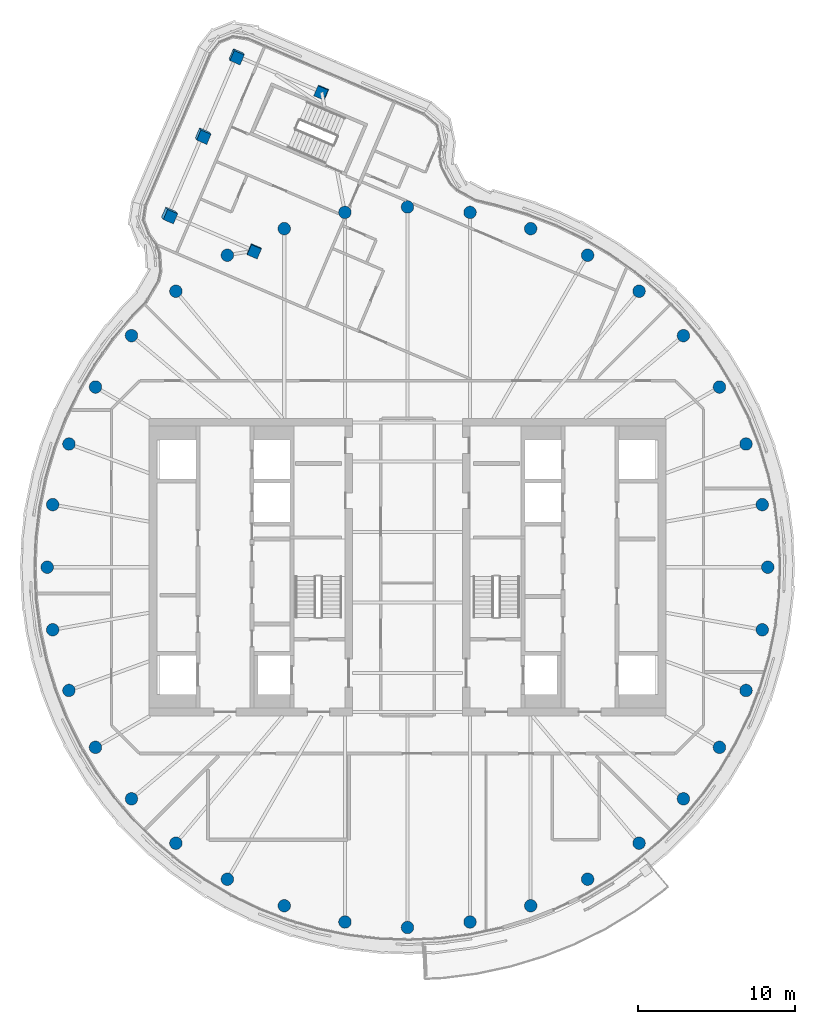
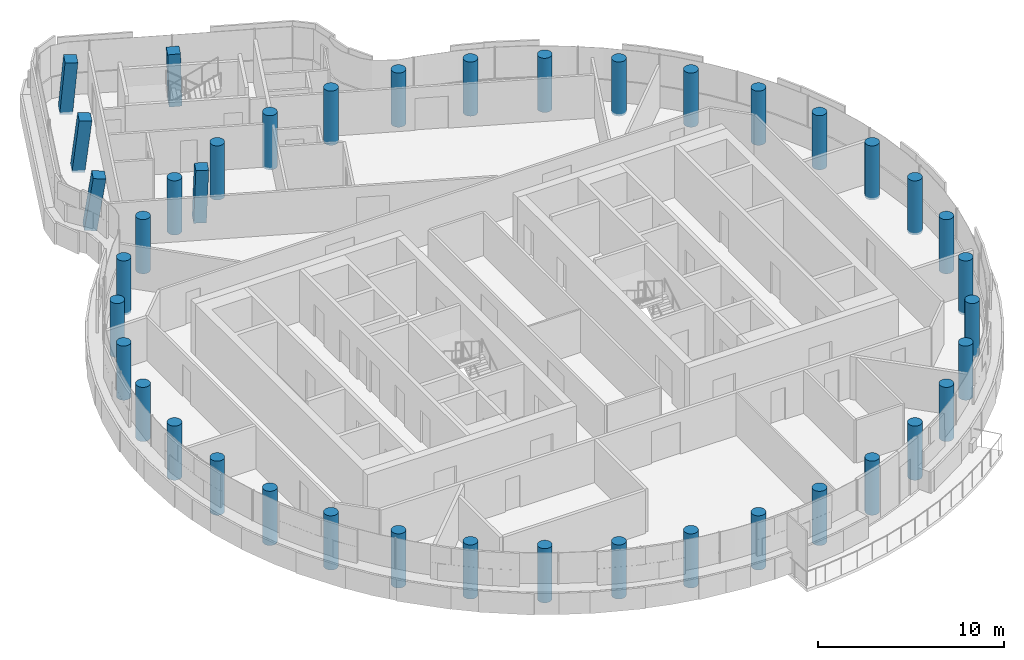
# One storey, part 1 of 20: 41 columns.
"""IFC4 building model written with IfcOpenShell, lengths in metres."""

from ifc_helpers import new_model, si_unit, direction, frame, origin, origin_2d, place, context, subcontext, project, spatial, rectangle, circle, extrude, material, material_profile, profile_set, type_object, element, save


model = new_model("IFC4")

# Units and contexts
model_context = context("Model", 3, precision=1e-05, world=origin(), true_north=direction((0.0, 1.0)))
body_context = subcontext(model_context, "Body", "Model", "MODEL_VIEW")
ifc_project = project(units=[si_unit("LENGTHUNIT", "METRE"), si_unit("AREAUNIT", "SQUARE_METRE"), si_unit("VOLUMEUNIT", "CUBIC_METRE"), si_unit("PLANEANGLEUNIT", "RADIAN"), si_unit("MASSUNIT", "GRAM", prefix="KILO")], contexts=[model_context])

# Site, building, storey
site_placement = place(None, origin())
site = spatial("IfcSite", under=ifc_project, at=site_placement, CompositionType="ELEMENT")
building_placement = place(site_placement, origin())
building = spatial("IfcBuilding", under=site, at=building_placement, Name="Tamarind Cross Interchange Tower", CompositionType="ELEMENT")
storey_placement = place(building_placement, frame((0.0, 0.0, 274.800048828125)))
storey = spatial("IfcBuildingStorey", under=building, at=storey_placement, Name="L70", CompositionType="ELEMENT", Elevation=274.800048828125)

# Columns
ifc_material = material(Name="Concrete C45", Category="concrete")
ifc_material_profile_1 = material_profile(ifc_material, rectangle(XDim=0.699951171875, YDim=0.699951171875, at=origin_2d()), Name="RC 700x700")
ifc_profile_set_1 = profile_set([ifc_material_profile_1], Name="Concrete C45")
column_type_1 = type_object("IfcColumnType", Name="Column RC 700x700 Concrete C45", PredefinedType="COLUMN", material=ifc_profile_set_1)
column_1_placement = place(storey_placement, frame((-9.79345703125, 20.202880859375, -0.138916015625), z_axis=(0.00968280735, -0.049993501778, 0.998702604894), x_axis=(0.392404503784, 0.918824615381, 0.042190420475)))
element("IfcColumn", 1, at=column_1_placement, inside=storey, type_object=column_type_1, Name="Column L70-045", PredefinedType="COLUMN", context=body_context, shape_type="SweptSolid", body=[
    extrude(rectangle(XDim=0.699951171875, YDim=0.699951171875, at=origin_2d()), origin(), (0.0, 0.0, 1.0), 3.55517578125),
])
column_2_placement = place(storey_placement, frame((-5.471923828125, 30.318603515625, -0.138916015625), z_axis=(-0.042304996766, -0.02843225432, 0.998700102214), x_axis=(0.919317607223, -0.392535504422, 0.02776715357)))
element("IfcColumn", 2, at=column_2_placement, inside=storey, type_object=column_type_1, Name="Column L70-046", PredefinedType="COLUMN", context=body_context, shape_type="SweptSolid", body=[
    extrude(rectangle(XDim=0.699951171875, YDim=0.699951171875, at=origin_2d()), origin(), (0.0, 0.0, 1.0), 3.554931640625),
])
column_3_placement = place(storey_placement, frame((-10.928466796875, 32.6494140625, -0.13720703125), z_axis=(0.039199198447, -0.093913316068, 0.994808379491), x_axis=(0.394304854241, 0.916236072935, 0.07095872445)))
element("IfcColumn", 3, at=column_3_placement, inside=storey, type_object=column_type_1, Name="Column L70-047", PredefinedType="COLUMN", context=body_context, shape_type="SweptSolid", body=[
    extrude(rectangle(XDim=0.699951171875, YDim=0.699951171875, at=origin_2d()), origin(), (0.0, 0.0, 1.0), 3.556396484375),
])
column_4_placement = place(storey_placement, frame((-13.089111328125, 27.591552734375, -0.13720703125), z_axis=(0.064865598105, -0.104414454334, 0.992416281562), x_axis=(0.395430388094, 0.91578583263, 0.070506148144)))
element("IfcColumn", 4, at=column_4_placement, inside=storey, type_object=column_type_1, Name="Column L70-048", PredefinedType="COLUMN", context=body_context, shape_type="SweptSolid", body=[
    extrude(rectangle(XDim=0.699951171875, YDim=0.699951171875, at=origin_2d()), origin(), (0.0, 0.0, 1.0), 3.568115234375),
])
column_5_placement = place(storey_placement, frame((-15.249755859375, 22.533935546875, -0.136962890625), z_axis=(0.09044064582, -0.114839855468, 0.98925845823), x_axis=(0.396148848122, 0.915509402061, 0.070061579126)))
element("IfcColumn", 5, at=column_5_placement, inside=storey, type_object=column_type_1, Name="Column L70-049", PredefinedType="COLUMN", context=body_context, shape_type="SweptSolid", body=[
    extrude(rectangle(XDim=0.699951171875, YDim=0.699951171875, at=origin_2d()), origin(), (0.0, 0.0, 1.0), 3.582275390625),
])
ifc_material_profile_2 = material_profile(ifc_material, circle(Radius=0.39990234375, at=origin_2d()), Name="RC D800")
ifc_profile_set_2 = profile_set([ifc_material_profile_2], Name="Concrete C45")
column_type_2 = type_object("IfcColumnType", Name="Column RC D800 Concrete C45", PredefinedType="COLUMN", material=ifc_profile_set_2)
for number, where, z_axis, x_axis, name in (
    (6, (23.0, 0.0, -0.14013671875), (0.0, 0.0, 1.0), (1.0, 0.0, 0.0), "Column L70-000"),
    (7, (22.650634765625, 3.993896484375, -0.14013671875), (0.0, 0.0, 1.0), (1.0, 0.0, 0.0), "Column L70-001"),
    (8, (21.613037109375, 7.866455078125, -0.14013671875), (0.0, 0.0, 1.0), (1.0, 0.0, 0.0), "Column L70-002"),
    (9, (19.918701171875, 11.5, -0.14013671875), (0.0, 0.0, 1.0), (1.0, 0.0, 0.0), "Column L70-003"),
    (10, (17.619140625, 14.7841796875, -0.14013671875), (0.0, 0.0, 1.0), (1.0, 0.0, 0.0), "Column L70-004"),
    (11, (14.7841796875, 17.619140625, -0.14013671875), (0.0, 0.0, 1.0), (1.0, 0.0, 0.0), "Column L70-005"),
    (12, (11.5, 19.918701171875, -0.14013671875), (0.0, 0.0, 1.0), (1.0, 0.0, 0.0), "Column L70-006"),
    (13, (7.866455078125, 21.613037109375, -0.14013671875), (0.0, 0.0, 1.0), (1.0, 0.0, 0.0), "Column L70-007"),
    (14, (3.993896484375, 22.650634765625, -0.14013671875), (0.0, 0.0, 1.0), (1.0, 0.0, 0.0), "Column L70-008"),
    (15, (0.0, 23.0, -0.14013671875), (0.0, 0.0, 1.0), (1.0, 0.0, 0.0), "Column L70-009"),
    (16, (-3.993896484375, 22.650634765625, -0.14013671875), (0.0, 0.0, 1.0), (1.0, 0.0, 0.0), "Column L70-010"),
    (17, (-7.866455078125, 21.613037109375, -0.14013671875), (0.0, 0.0, 1.0), (1.0, 0.0, 0.0), "Column L70-011"),
    (18, (-11.5, 19.918701171875, -0.14013671875), (0.0, 0.0, 1.0), (1.0, 0.0, 0.0), "Column L70-012"),
    (19, (-14.7841796875, 17.619140625, -0.14013671875), (0.0, 0.0, 1.0), (1.0, 0.0, 0.0), "Column L70-013"),
    (20, (-17.619140625, 14.7841796875, -0.14013671875), (0.0, 0.0, 1.0), (1.0, 0.0, 0.0), "Column L70-014"),
    (21, (-19.918701171875, 11.5, -0.14013671875), (0.0, 0.0, 1.0), (1.0, 0.0, 0.0), "Column L70-015"),
    (22, (-21.613037109375, 7.866455078125, -0.14013671875), (0.0, 0.0, 1.0), (1.0, 0.0, 0.0), "Column L70-016"),
    (23, (-22.650634765625, 3.993896484375, -0.14013671875), (0.0, 0.0, 1.0), (1.0, 0.0, 0.0), "Column L70-017"),
    (24, (-23.0, 0.0, -0.14013671875), (0.0, 0.0, 1.0), (1.0, 0.0, 0.0), "Column L70-018"),
    (25, (-22.650634765625, -3.993896484375, -0.14013671875), (0.0, 0.0, 1.0), (1.0, 0.0, 0.0), "Column L70-019"),
    (26, (-21.613037109375, -7.866455078125, -0.14013671875), (0.0, 0.0, 1.0), (1.0, 0.0, 0.0), "Column L70-020"),
    (27, (-19.918701171875, -11.5, -0.14013671875), (0.0, 0.0, 1.0), (1.0, 0.0, 0.0), "Column L70-021"),
    (28, (-17.619140625, -14.7841796875, -0.14013671875), (0.0, 0.0, 1.0), (1.0, 0.0, 0.0), "Column L70-022"),
    (29, (-14.7841796875, -17.619140625, -0.14013671875), (0.0, 0.0, 1.0), (1.0, 0.0, 0.0), "Column L70-023"),
    (30, (-11.5, -19.918701171875, -0.14013671875), (0.0, 0.0, 1.0), (1.0, 0.0, 0.0), "Column L70-024"),
    (31, (-7.866455078125, -21.613037109375, -0.14013671875), (0.0, 0.0, 1.0), (1.0, 0.0, 0.0), "Column L70-025"),
    (32, (-3.993896484375, -22.650634765625, -0.14013671875), (0.0, 0.0, 1.0), (1.0, 0.0, 0.0), "Column L70-026"),
    (33, (0.0, -23.0, -0.14013671875), (0.0, 0.0, 1.0), (1.0, 0.0, 0.0), "Column L70-027"),
    (34, (3.993896484375, -22.650634765625, -0.14013671875), (0.0, 0.0, 1.0), (1.0, 0.0, 0.0), "Column L70-028"),
    (35, (7.866455078125, -21.613037109375, -0.14013671875), (0.0, 0.0, 1.0), (1.0, 0.0, 0.0), "Column L70-029"),
    (36, (11.5, -19.918701171875, -0.14013671875), (0.0, 0.0, 1.0), (1.0, 0.0, 0.0), "Column L70-030"),
    (37, (14.7841796875, -17.619140625, -0.14013671875), (0.0, 0.0, 1.0), (1.0, 0.0, 0.0), "Column L70-031"),
    (38, (17.619140625, -14.7841796875, -0.14013671875), (0.0, 0.0, 1.0), (1.0, 0.0, 0.0), "Column L70-032"),
    (39, (19.918701171875, -11.5, -0.14013671875), (0.0, 0.0, 1.0), (1.0, 0.0, 0.0), "Column L70-033"),
    (40, (21.613037109375, -7.866455078125, -0.14013671875), (0.0, 0.0, 1.0), (1.0, 0.0, 0.0), "Column L70-034"),
    (41, (22.650634765625, -3.993896484375, -0.14013671875), (0.0, 0.0, 1.0), (1.0, 0.0, 0.0), "Column L70-035"),
):
    element("IfcColumn", number, at=place(storey_placement, frame(where, z_axis=z_axis, x_axis=x_axis)), inside=storey, type_object=column_type_2, Name=name, PredefinedType="COLUMN", context=body_context, shape_type="SweptSolid", body=[
        extrude(circle(Radius=0.39990234375, at=origin_2d()), origin(), (0.0, 0.0, 1.0), 3.56005859375),
    ])

save(model, "model.ifc")
